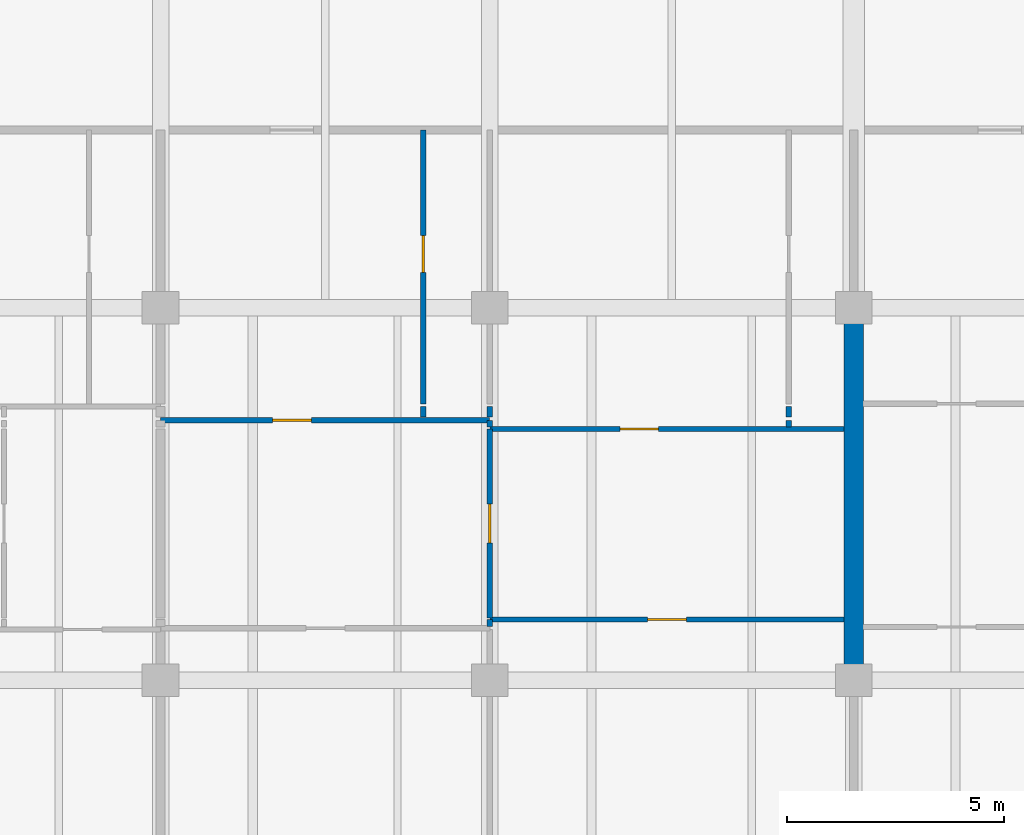
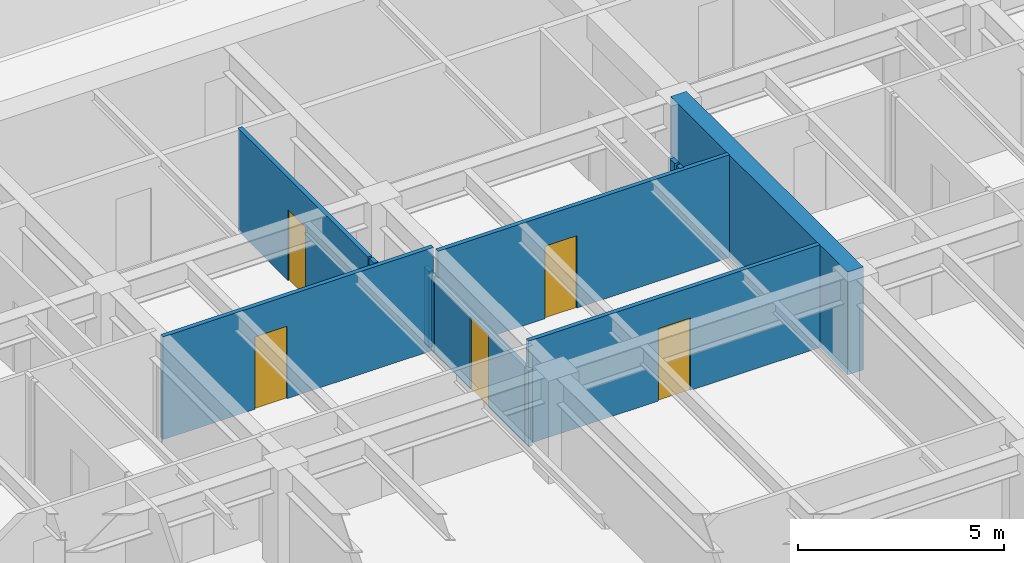
# One storey, part 10 of 19: 12 walls, 5 doors, 5 openings.
"""IFC4 building model written with IfcOpenShell, lengths in metres."""

from ifc_helpers import new_model, si_unit, direction, frame, frame_2d, origin, place, context, subcontext, project, spatial, rectangle, extrude, material, layer, layer_set, type_object, element, fill, save


model = new_model("IFC4")

# Units and contexts
model_context = context("Model", 3, precision=1e-05, world=origin(), true_north=direction((0.0, 1.0)))
body_context = subcontext(model_context, "Body", "Model", "MODEL_VIEW")
ifc_project = project(units=[si_unit("LENGTHUNIT", "METRE"), si_unit("AREAUNIT", "SQUARE_METRE"), si_unit("VOLUMEUNIT", "CUBIC_METRE"), si_unit("PLANEANGLEUNIT", "RADIAN"), si_unit("MASSUNIT", "GRAM", prefix="KILO")], contexts=[model_context])

# Site, building, storey
site_placement = place(None, origin())
site = spatial("IfcSite", under=ifc_project, at=site_placement, CompositionType="ELEMENT")
building_placement = place(site_placement, origin())
building = spatial("IfcBuilding", under=site, at=building_placement, Name="Caelmar Bay Residences", CompositionType="ELEMENT")
storey_placement = place(building_placement, frame((0.0, 0.0, 195.0)))
storey = spatial("IfcBuildingStorey", under=building, at=storey_placement, Name="L54", CompositionType="ELEMENT", Elevation=195.0)

# Walls
ifc_material_1 = material(Name="Concrete f'c 55 MPa (8,000 psi)", Category="concrete")
ifc_layer_1 = layer(ifc_material_1, 0.449951171875)
ifc_layer_set_1 = layer_set([ifc_layer_1], Name="Concrete f'c 55 MPa (8,000 psi)")
wall_type_1 = type_object("IfcWallType", Name="SW-XSLB-450", PredefinedType="SHEAR", material=ifc_layer_set_1)
wall_1_placement = place(storey_placement, frame((51.10009765625, 20.800048828125, 0.0), z_axis=(0.0, 0.0, 1.0), x_axis=(0.0, 1.0, 0.0)))
element("IfcWall", 1, at=wall_1_placement, inside=storey, type_object=wall_type_1, Name="L54 Transverse Cross-Slab Shear Wall E8", PredefinedType="SHEAR", context=body_context, shape_type="SweptSolid", body=[
    extrude(rectangle(XDim=8.599853515625, YDim=0.449951171875, at=frame_2d((4.2998046875, 0.0))), origin(), (0.0, 0.0, 1.0), 3.050048828125),
])
ifc_material_2 = material(Name="Acoustic metal-stud gypsum partition 120 mm")
ifc_layer_2 = layer(ifc_material_2, 0.1201171875)
ifc_layer_set_2 = layer_set([ifc_layer_2], Name="Acoustic metal-stud gypsum partition 120 mm")
wall_type_2 = type_object("IfcWallType", Name="W-PRT-120", PredefinedType="PARTITIONING", material=ifc_layer_set_2)
wall_2_placement = place(storey_placement, frame((41.1630859375, 26.8798828125, 0.0), z_axis=(0.0, 0.0, 1.0), x_axis=(0.0, 1.0, 0.0)))
element("IfcWall", 2, at=wall_2_placement, inside=storey, type_object=wall_type_2, Name="L54 Partition Wall V046", PredefinedType="PARTITIONING", context=body_context, shape_type="SweptSolid", body=[
    extrude(rectangle(XDim=0.240234375, YDim=0.1201171875, at=frame_2d((0.1201171875, 0.0))), origin(), (0.0, 0.0, 1.0), 3.050048828125),
])

# Wall, opening, door
wall_3_placement = place(storey_placement, frame((41.1630859375, 27.179931640625, 0.0), z_axis=(0.0, 0.0, 1.0), x_axis=(0.0, 1.0, 0.0)))
wall_3 = element("IfcWall", 3, at=wall_3_placement, inside=storey, type_object=wall_type_2, Name="L54 Partition Wall V047", PredefinedType="PARTITIONING", context=body_context, shape_type="SweptSolid", body=[
    extrude(rectangle(XDim=6.320068359375, YDim=0.1201171875, at=frame_2d((3.16015625, 0.0))), origin(), (0.0, 0.0, 1.0), 3.050048828125),
])
opening_1_placement = place(wall_3_placement, frame((3.034912109375, 0.0, 0.0)))
opening_1 = element("IfcOpeningElement", 4, at=opening_1_placement, cuts=wall_3, Name="Opening D-L54-136", PredefinedType="OPENING", context=body_context, shape_type="SweptSolid", body=[
    extrude(rectangle(XDim=0.85009765625, YDim=2.10009765625, at=frame_2d((0.425048828125, 1.050048828125))), frame((0.0, 0.070068359375, 0.0), z_axis=(0.0, -1.0, 0.0), x_axis=(1.0, 0.0, 0.0)), (0.0, 0.0, 1.0), 0.14013671875),
])
ifc_material_3 = material(Name="Solid walnut timber interior door leaf and frame", Category="wood")
ifc_layer_3 = layer(ifc_material_3, 0.050048828125)
ifc_layer_set_3 = layer_set([ifc_layer_3], Name="Solid walnut timber interior door leaf and frame")
door_type_1 = type_object("IfcDoorType", Name="D-BATH-850", OperationType="NOTDEFINED", PredefinedType="DOOR", material=ifc_layer_set_3)
door_1_placement = place(opening_1_placement, origin())
door_1 = element("IfcDoor", 5, at=door_1_placement, inside=storey, type_object=door_type_1, Name="L54 Residence 03 Guest Bathroom Door", OperationType="SINGLE_SWING_RIGHT", OverallHeight=2.10009765625, OverallWidth=0.85009765625, PredefinedType="DOOR", context=body_context, shape_type="SweptSolid", body=[
    extrude(rectangle(XDim=0.85009765625, YDim=2.10009765625, at=frame_2d((0.425048828125, 1.050048828125))), frame((0.0, 0.02490234375, 0.0), z_axis=(0.0, -1.0, 0.0), x_axis=(1.0, 0.0, 0.0)), (0.0, 0.0, 1.0), 0.050048828125),
])
fill(opening_1, door_1)

# Wall
wall_4_placement = place(storey_placement, frame((42.699951171875, 22.0400390625, 0.0), z_axis=(0.0, 0.0, 1.0), x_axis=(0.0, 1.0, 0.0)))
element("IfcWall", 6, at=wall_4_placement, inside=storey, type_object=wall_type_2, Name="L54 Partition Wall V051", PredefinedType="PARTITIONING", context=body_context, shape_type="SweptSolid", body=[
    extrude(rectangle(XDim=0.159912109375, YDim=0.1201171875, at=frame_2d((0.080078125, 0.0))), origin(), (0.0, 0.0, 1.0), 2.262939453125),
])

# Wall, opening, door
wall_5_placement = place(storey_placement, frame((42.699951171875, 22.239990234375, 0.0), z_axis=(0.0, 0.0, 1.0), x_axis=(0.0, 1.0, 0.0)))
wall_5 = element("IfcWall", 7, at=wall_5_placement, inside=storey, type_object=wall_type_2, Name="L54 Partition Wall V052", PredefinedType="PARTITIONING", context=body_context, shape_type="SweptSolid", body=[
    extrude(rectangle(XDim=4.360107421875, YDim=0.1201171875, at=frame_2d((2.18017578125, 0.0))), origin(), (0.0, 0.0, 1.0), 2.262939453125),
])
opening_2_placement = place(wall_5_placement, frame((1.72998046875, 0.0, 0.0)))
opening_2 = element("IfcOpeningElement", 8, at=opening_2_placement, cuts=wall_5, Name="Opening D-L54-139", PredefinedType="OPENING", context=body_context, shape_type="SweptSolid", body=[
    extrude(rectangle(XDim=0.89990234375, YDim=2.14990234375, at=frame_2d((0.449951171875, 1.074951171875))), frame((0.0, 0.070068359375, 0.0), z_axis=(0.0, -1.0, 0.0), x_axis=(1.0, 0.0, 0.0)), (0.0, 0.0, 1.0), 0.14013671875),
])
ifc_layer_4 = layer(ifc_material_3, 0.050048828125)
ifc_layer_set_4 = layer_set([ifc_layer_4], Name="Solid walnut timber interior door leaf and frame")
door_type_2 = type_object("IfcDoorType", Name="D-ROOM-900", OperationType="NOTDEFINED", PredefinedType="DOOR", material=ifc_layer_set_4)
door_2_placement = place(opening_2_placement, origin())
door_2 = element("IfcDoor", 9, at=door_2_placement, inside=storey, type_object=door_type_2, Name="L54 Residence 03 Conference Study 1 Door", OperationType="SINGLE_SWING_LEFT", OverallHeight=2.14990234375, OverallWidth=0.89990234375, PredefinedType="DOOR", context=body_context, shape_type="SweptSolid", body=[
    extrude(rectangle(XDim=0.89990234375, YDim=2.14990234375, at=frame_2d((0.449951171875, 1.074951171875))), frame((0.0, 0.02490234375, 0.0), z_axis=(0.0, -1.0, 0.0), x_axis=(1.0, 0.0, 0.0)), (0.0, 0.0, 1.0), 0.050048828125),
])
fill(opening_2, door_2)

# Walls
wall_6_placement = place(storey_placement, frame((42.699951171875, 26.639892578125, 0.0), z_axis=(0.0, 0.0, 1.0), x_axis=(0.0, 1.0, 0.0)))
element("IfcWall", 10, at=wall_6_placement, inside=storey, type_object=wall_type_2, Name="L54 Partition Wall V053", PredefinedType="PARTITIONING", context=body_context, shape_type="SweptSolid", body=[
    extrude(rectangle(XDim=0.16015625, YDim=0.1201171875, at=frame_2d((0.080078125, 0.0))), origin(), (0.0, 0.0, 1.0), 2.262939453125),
])
wall_7_placement = place(storey_placement, frame((42.699951171875, 26.8798828125, 0.0), z_axis=(0.0, 0.0, 1.0), x_axis=(0.0, 1.0, 0.0)))
element("IfcWall", 11, at=wall_7_placement, inside=storey, type_object=wall_type_2, Name="L54 Partition Wall V054", PredefinedType="PARTITIONING", context=body_context, shape_type="SweptSolid", body=[
    extrude(rectangle(XDim=0.240234375, YDim=0.1201171875, at=frame_2d((0.1201171875, 0.0))), origin(), (0.0, 0.0, 1.0), 2.262939453125),
])
wall_8_placement = place(storey_placement, frame((49.60009765625, 26.639892578125, 0.0), z_axis=(0.0, 0.0, 1.0), x_axis=(0.0, 1.0, 0.0)))
element("IfcWall", 12, at=wall_8_placement, inside=storey, type_object=wall_type_2, Name="L54 Partition Wall V057", PredefinedType="PARTITIONING", context=body_context, shape_type="SweptSolid", body=[
    extrude(rectangle(XDim=0.16015625, YDim=0.1201171875, at=frame_2d((0.080078125, 0.0))), origin(), (0.0, 0.0, 1.0), 3.050048828125),
])
wall_9_placement = place(storey_placement, frame((49.60009765625, 26.8798828125, 0.0), z_axis=(0.0, 0.0, 1.0), x_axis=(0.0, 1.0, 0.0)))
element("IfcWall", 13, at=wall_9_placement, inside=storey, type_object=wall_type_2, Name="L54 Partition Wall V058", PredefinedType="PARTITIONING", context=body_context, shape_type="SweptSolid", body=[
    extrude(rectangle(XDim=0.240234375, YDim=0.1201171875, at=frame_2d((0.1201171875, 0.0))), origin(), (0.0, 0.0, 1.0), 3.050048828125),
])

# Wall, opening, door
wall_10_placement = place(storey_placement, frame((42.705078125, 22.199951171875, 0.0), z_axis=(0.0, 0.0, 1.0), x_axis=(1.0, 0.0, 0.0)))
wall_10 = element("IfcWall", 14, at=wall_10_placement, inside=storey, type_object=wall_type_2, Name="L54 Partition Wall H108", PredefinedType="PARTITIONING", context=body_context, shape_type="SweptSolid", body=[
    extrude(rectangle(XDim=8.1748046875, YDim=0.1201171875, at=frame_2d((4.08740234375, 0.0))), origin(), (0.0, 0.0, 1.0), 3.050048828125),
])
opening_3_placement = place(wall_10_placement, frame((3.637451171875, 0.0, 0.0)))
opening_3 = element("IfcOpeningElement", 15, at=opening_3_placement, cuts=wall_10, Name="Opening D-L54-142", PredefinedType="OPENING", context=body_context, shape_type="SweptSolid", body=[
    extrude(rectangle(XDim=0.89990234375, YDim=2.14990234375, at=frame_2d((0.449951171875, 1.074951171875))), frame((0.0, 0.070068359375, 0.0), z_axis=(0.0, -1.0, 0.0), x_axis=(1.0, 0.0, 0.0)), (0.0, 0.0, 1.0), 0.14013671875),
])
door_3_placement = place(opening_3_placement, origin())
door_3 = element("IfcDoor", 16, at=door_3_placement, inside=storey, type_object=door_type_2, Name="L54 Residence 03 Penthouse Sitting Salon 1 Door", OperationType="SINGLE_SWING_RIGHT", OverallHeight=2.14990234375, OverallWidth=0.89990234375, PredefinedType="DOOR", context=body_context, shape_type="SweptSolid", body=[
    extrude(rectangle(XDim=0.89990234375, YDim=2.14990234375, at=frame_2d((0.449951171875, 1.074951171875))), frame((0.0, 0.02490234375, 0.0), z_axis=(0.0, -1.0, 0.0), x_axis=(1.0, 0.0, 0.0)), (0.0, 0.0, 1.0), 0.050048828125),
])
fill(opening_3, door_3)

wall_11_placement = place(storey_placement, frame((42.699951171875, 26.60009765625, 0.0), z_axis=(0.0, 0.0, 1.0), x_axis=(1.0, 0.0, 0.0)))
wall_11 = element("IfcWall", 17, at=wall_11_placement, inside=storey, type_object=wall_type_2, Name="L54 Partition Wall H110", PredefinedType="PARTITIONING", context=body_context, shape_type="SweptSolid", body=[
    extrude(rectangle(XDim=8.179931640625, YDim=0.1201171875, at=frame_2d((4.08984375, 0.0))), origin(), (0.0, 0.0, 1.0), 3.050048828125),
])
opening_4_placement = place(wall_11_placement, frame((3.0, 0.0, 0.0)))
opening_4 = element("IfcOpeningElement", 18, at=opening_4_placement, cuts=wall_11, Name="Opening D-L54-140", PredefinedType="OPENING", context=body_context, shape_type="SweptSolid", body=[
    extrude(rectangle(XDim=0.89990234375, YDim=2.14990234375, at=frame_2d((0.449951171875, 1.074951171875))), frame((0.0, 0.070068359375, 0.0), z_axis=(0.0, -1.0, 0.0), x_axis=(1.0, 0.0, 0.0)), (0.0, 0.0, 1.0), 0.14013671875),
])
door_4_placement = place(opening_4_placement, origin())
door_4 = element("IfcDoor", 19, at=door_4_placement, inside=storey, type_object=door_type_2, Name="L54 Residence 03 Private Meeting Room 1 Door", OperationType="SINGLE_SWING_RIGHT", OverallHeight=2.14990234375, OverallWidth=0.89990234375, PredefinedType="DOOR", context=body_context, shape_type="SweptSolid", body=[
    extrude(rectangle(XDim=0.89990234375, YDim=2.14990234375, at=frame_2d((0.449951171875, 1.074951171875))), frame((0.0, 0.02490234375, 0.0), z_axis=(0.0, -1.0, 0.0), x_axis=(1.0, 0.0, 0.0)), (0.0, 0.0, 1.0), 0.050048828125),
])
fill(opening_4, door_4)

wall_12_placement = place(storey_placement, frame((35.10009765625, 26.800048828125, 0.0), z_axis=(0.0, 0.0, 1.0), x_axis=(1.0, 0.0, 0.0)))
wall_12 = element("IfcWall", 20, at=wall_12_placement, inside=storey, type_object=wall_type_2, Name="L54 Partition Wall H112", PredefinedType="PARTITIONING", context=body_context, shape_type="SweptSolid", body=[
    extrude(rectangle(XDim=7.594970703125, YDim=0.1201171875, at=frame_2d((3.79736328125, 0.0))), origin(), (0.0, 0.0, 1.0), 3.050048828125),
])
opening_5_placement = place(wall_12_placement, frame((2.58154296875, 0.0, 0.0)))
opening_5 = element("IfcOpeningElement", 21, at=opening_5_placement, cuts=wall_12, Name="Opening D-L54-137", PredefinedType="OPENING", context=body_context, shape_type="SweptSolid", body=[
    extrude(rectangle(XDim=0.89990234375, YDim=2.14990234375, at=frame_2d((0.449951171875, 1.074951171875))), frame((0.0, 0.070068359375, 0.0), z_axis=(0.0, -1.0, 0.0), x_axis=(1.0, 0.0, 0.0)), (0.0, 0.0, 1.0), 0.14013671875),
])
door_5_placement = place(opening_5_placement, origin())
door_5 = element("IfcDoor", 22, at=door_5_placement, inside=storey, type_object=door_type_2, Name="L54 Residence 03 Kitchen Door", OperationType="SINGLE_SWING_LEFT", OverallHeight=2.14990234375, OverallWidth=0.89990234375, PredefinedType="DOOR", context=body_context, shape_type="SweptSolid", body=[
    extrude(rectangle(XDim=0.89990234375, YDim=2.14990234375, at=frame_2d((0.449951171875, 1.074951171875))), frame((0.0, 0.02490234375, 0.0), z_axis=(0.0, -1.0, 0.0), x_axis=(1.0, 0.0, 0.0)), (0.0, 0.0, 1.0), 0.050048828125),
])
fill(opening_5, door_5)

save(model, "model.ifc")
